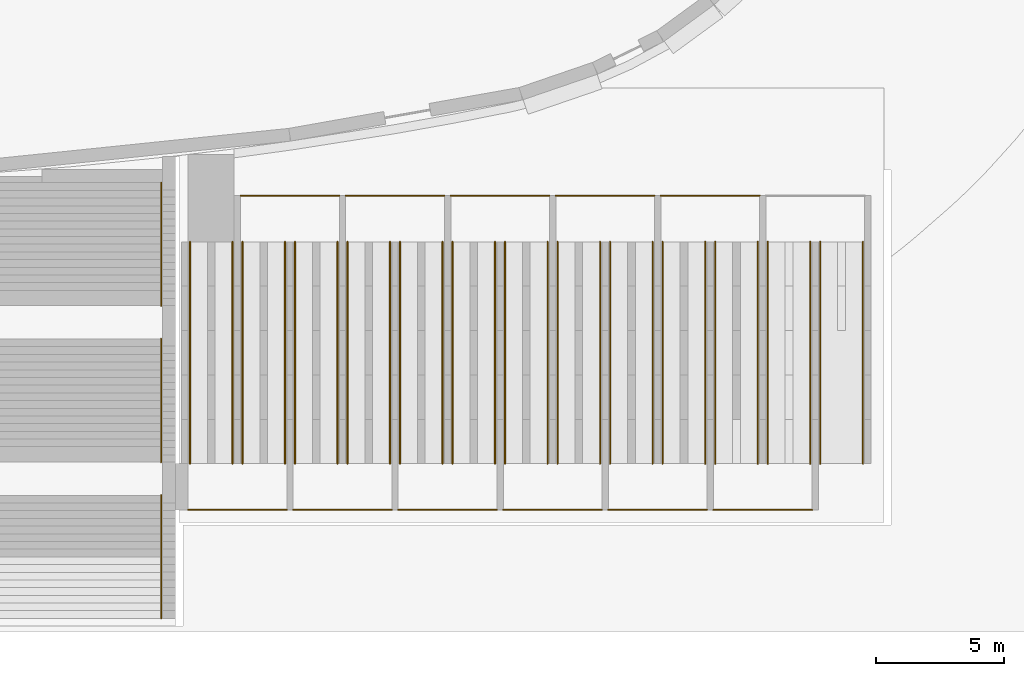
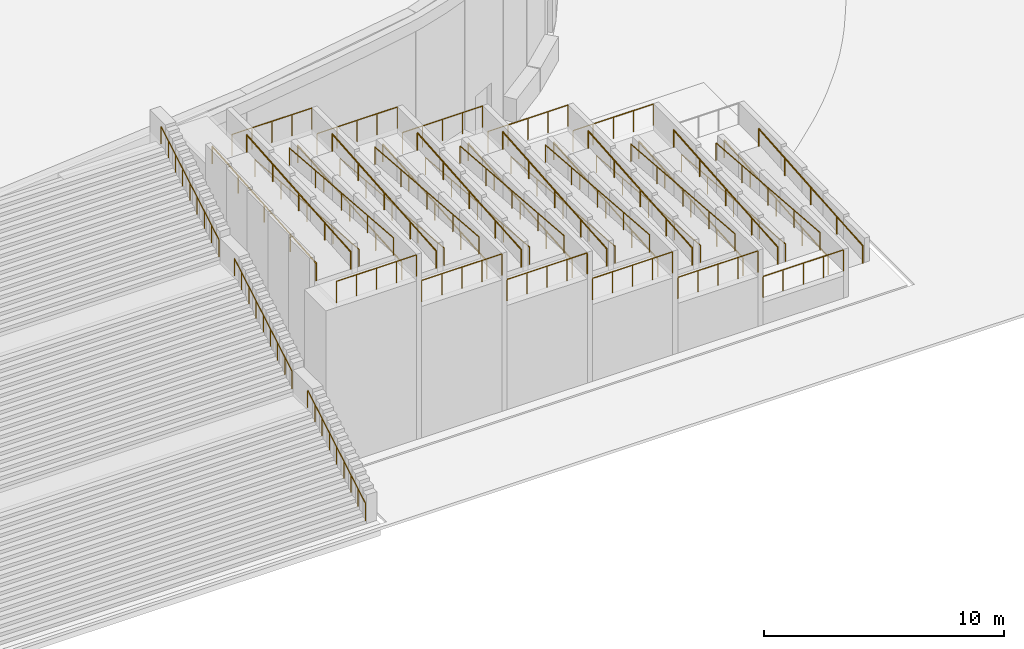
# One storey, part 19 of 29: 40 railings.
"""IFC4 building model written with IfcOpenShell, lengths in metres."""

from ifc_helpers import new_model, si_unit, direction, frame, origin, origin_2d, place, context, subcontext, project, spatial, circle, extrude, material, type_object, element, save


model = new_model("IFC4")

# Units and contexts
model_context = context("Model", 3, precision=1e-05, world=origin(), true_north=direction((0.0, 1.0)))
body_context = subcontext(model_context, "Body", "Model", "MODEL_VIEW")
ifc_project = project(units=[si_unit("LENGTHUNIT", "METRE"), si_unit("AREAUNIT", "SQUARE_METRE"), si_unit("VOLUMEUNIT", "CUBIC_METRE"), si_unit("PLANEANGLEUNIT", "RADIAN"), si_unit("MASSUNIT", "GRAM", prefix="KILO")], contexts=[model_context])

# Site, building, storey
site_placement = place(None, origin())
site = spatial("IfcSite", under=ifc_project, at=site_placement, CompositionType="ELEMENT")
building_placement = place(site_placement, origin())
building = spatial("IfcBuilding", under=site, at=building_placement, Name="Sierra Prisma Convention Tower", CompositionType="ELEMENT")
storey_placement = place(building_placement, origin())
storey = spatial("IfcBuildingStorey", under=building, at=storey_placement, Name="L00", CompositionType="ELEMENT", Elevation=0.0)

# Railings
ifc_material_1 = material(Name="Bronze anodised aluminium", Category="aluminium")
railing_type_1 = type_object("IfcRailingType", Name="Deck guard 1100", PredefinedType="GUARDRAIL", material=ifc_material_1)
railing_1_placement = place(storey_placement, frame((39.199951171875, -68.25390625, 1.384521484375)))
element("IfcRailing", 1, at=railing_1_placement, inside=storey, type_object=railing_type_1, Name="Accessible ramp landing guard", PredefinedType="GUARDRAIL", context=body_context, shape_type="SweptSolid", body=[
    extrude(circle(Radius=0.02392578125, at=origin_2d()), frame((0.0, 0.0, 1.076171875), z_axis=(1.0, 0.0, 0.0), x_axis=(0.0, 1.0, 0.0)), (0.0, 0.0, 1.0), 3.85009765625),
    extrude(circle(Radius=0.02099609375, at=origin_2d()), origin(), (0.0, 0.0, 1.0), 1.052001953125),
    extrude(circle(Radius=0.02099609375, at=origin_2d()), frame((0.96240234375, 0.0, 0.0)), (0.0, 0.0, 1.0), 1.052001953125),
    extrude(circle(Radius=0.02099609375, at=origin_2d()), frame((1.925048828125, 0.0, 0.0)), (0.0, 0.0, 1.0), 1.052001953125),
    extrude(circle(Radius=0.02099609375, at=origin_2d()), frame((2.8876953125, 0.0, 0.0)), (0.0, 0.0, 1.0), 1.052001953125),
    extrude(circle(Radius=0.02099609375, at=origin_2d()), frame((3.85009765625, 0.0, 0.0)), (0.0, 0.0, 1.0), 1.052001953125),
])
railing_2_placement = place(storey_placement, frame((35.10009765625, -68.25390625, 2.769287109375)))
element("IfcRailing", 2, at=railing_2_placement, inside=storey, type_object=railing_type_1, Name="Accessible ramp landing guard", PredefinedType="GUARDRAIL", context=body_context, shape_type="SweptSolid", body=[
    extrude(circle(Radius=0.02392578125, at=origin_2d()), frame((0.0, 0.0, 1.076171875), z_axis=(1.0, 0.0, 0.0), x_axis=(0.0, 1.0, 0.0)), (0.0, 0.0, 1.0), 3.849853515625),
    extrude(circle(Radius=0.02099609375, at=origin_2d()), origin(), (0.0, 0.0, 1.0), 1.052001953125),
    extrude(circle(Radius=0.02099609375, at=origin_2d()), frame((0.96240234375, 0.0, 0.0)), (0.0, 0.0, 1.0), 1.052001953125),
    extrude(circle(Radius=0.02099609375, at=origin_2d()), frame((1.9248046875, 0.0, 0.0)), (0.0, 0.0, 1.0), 1.052001953125),
    extrude(circle(Radius=0.02099609375, at=origin_2d()), frame((2.887451171875, 0.0, 0.0)), (0.0, 0.0, 1.0), 1.052001953125),
    extrude(circle(Radius=0.02099609375, at=origin_2d()), frame((3.849853515625, 0.0, 0.0)), (0.0, 0.0, 1.0), 1.052001953125),
])
for number, where, name in (
    (3, (31.0, -68.25390625, 4.15380859375), "Accessible ramp landing guard"),
    (4, (26.89990234375, -68.25390625, 5.53857421875), "Accessible ramp landing guard"),
):
    element("IfcRailing", number, at=place(storey_placement, frame(where)), inside=storey, type_object=railing_type_1, Name=name, PredefinedType="GUARDRAIL", context=body_context, shape_type="SweptSolid", body=[
        extrude(circle(Radius=0.02392578125, at=origin_2d()), frame((0.0, 0.0, 1.076171875), z_axis=(1.0, 0.0, 0.0), x_axis=(0.0, 1.0, 0.0)), (0.0, 0.0, 1.0), 3.85009765625),
        extrude(circle(Radius=0.02099609375, at=origin_2d()), origin(), (0.0, 0.0, 1.0), 1.052001953125),
        extrude(circle(Radius=0.02099609375, at=origin_2d()), frame((0.96240234375, 0.0, 0.0)), (0.0, 0.0, 1.0), 1.052001953125),
        extrude(circle(Radius=0.02099609375, at=origin_2d()), frame((1.925048828125, 0.0, 0.0)), (0.0, 0.0, 1.0), 1.052001953125),
        extrude(circle(Radius=0.02099609375, at=origin_2d()), frame((2.8876953125, 0.0, 0.0)), (0.0, 0.0, 1.0), 1.052001953125),
        extrude(circle(Radius=0.02099609375, at=origin_2d()), frame((3.85009765625, 0.0, 0.0)), (0.0, 0.0, 1.0), 1.052001953125),
    ])
railing_3_placement = place(storey_placement, frame((22.800048828125, -68.25390625, 6.923095703125)))
element("IfcRailing", 5, at=railing_3_placement, inside=storey, type_object=railing_type_1, Name="Accessible ramp landing guard", PredefinedType="GUARDRAIL", context=body_context, shape_type="SweptSolid", body=[
    extrude(circle(Radius=0.02392578125, at=origin_2d()), frame((0.0, 0.0, 1.076171875), z_axis=(1.0, 0.0, 0.0), x_axis=(0.0, 1.0, 0.0)), (0.0, 0.0, 1.0), 3.849853515625),
    extrude(circle(Radius=0.02099609375, at=origin_2d()), origin(), (0.0, 0.0, 1.0), 1.052001953125),
    extrude(circle(Radius=0.02099609375, at=origin_2d()), frame((0.96240234375, 0.0, 0.0)), (0.0, 0.0, 1.0), 1.052001953125),
    extrude(circle(Radius=0.02099609375, at=origin_2d()), frame((1.9248046875, 0.0, 0.0)), (0.0, 0.0, 1.0), 1.052001953125),
    extrude(circle(Radius=0.02099609375, at=origin_2d()), frame((2.887451171875, 0.0, 0.0)), (0.0, 0.0, 1.0), 1.052001953125),
    extrude(circle(Radius=0.02099609375, at=origin_2d()), frame((3.849853515625, 0.0, 0.0)), (0.0, 0.0, 1.0), 1.052001953125),
])
for number, where, name in (
    (6, (18.699951171875, -68.25390625, 8.3076171875), "Accessible ramp landing guard"),
    (7, (37.14990234375, -56.0, 2.076904296875), "Accessible ramp landing guard"),
):
    element("IfcRailing", number, at=place(storey_placement, frame(where)), inside=storey, type_object=railing_type_1, Name=name, PredefinedType="GUARDRAIL", context=body_context, shape_type="SweptSolid", body=[
        extrude(circle(Radius=0.02392578125, at=origin_2d()), frame((0.0, 0.0, 1.076171875), z_axis=(1.0, 0.0, 0.0), x_axis=(0.0, 1.0, 0.0)), (0.0, 0.0, 1.0), 3.85009765625),
        extrude(circle(Radius=0.02099609375, at=origin_2d()), origin(), (0.0, 0.0, 1.0), 1.052001953125),
        extrude(circle(Radius=0.02099609375, at=origin_2d()), frame((0.96240234375, 0.0, 0.0)), (0.0, 0.0, 1.0), 1.052001953125),
        extrude(circle(Radius=0.02099609375, at=origin_2d()), frame((1.925048828125, 0.0, 0.0)), (0.0, 0.0, 1.0), 1.052001953125),
        extrude(circle(Radius=0.02099609375, at=origin_2d()), frame((2.8876953125, 0.0, 0.0)), (0.0, 0.0, 1.0), 1.052001953125),
        extrude(circle(Radius=0.02099609375, at=origin_2d()), frame((3.85009765625, 0.0, 0.0)), (0.0, 0.0, 1.0), 1.052001953125),
    ])
railing_4_placement = place(storey_placement, frame((33.050048828125, -56.0, 3.46142578125)))
element("IfcRailing", 8, at=railing_4_placement, inside=storey, type_object=railing_type_1, Name="Accessible ramp landing guard", PredefinedType="GUARDRAIL", context=body_context, shape_type="SweptSolid", body=[
    extrude(circle(Radius=0.02392578125, at=origin_2d()), frame((0.0, 0.0, 1.076171875), z_axis=(1.0, 0.0, 0.0), x_axis=(0.0, 1.0, 0.0)), (0.0, 0.0, 1.0), 3.849853515625),
    extrude(circle(Radius=0.02099609375, at=origin_2d()), origin(), (0.0, 0.0, 1.0), 1.052001953125),
    extrude(circle(Radius=0.02099609375, at=origin_2d()), frame((0.96240234375, 0.0, 0.0)), (0.0, 0.0, 1.0), 1.052001953125),
    extrude(circle(Radius=0.02099609375, at=origin_2d()), frame((1.9248046875, 0.0, 0.0)), (0.0, 0.0, 1.0), 1.052001953125),
    extrude(circle(Radius=0.02099609375, at=origin_2d()), frame((2.887451171875, 0.0, 0.0)), (0.0, 0.0, 1.0), 1.052001953125),
    extrude(circle(Radius=0.02099609375, at=origin_2d()), frame((3.849853515625, 0.0, 0.0)), (0.0, 0.0, 1.0), 1.052001953125),
])
railing_5_placement = place(storey_placement, frame((28.949951171875, -56.0, 4.84619140625)))
element("IfcRailing", 9, at=railing_5_placement, inside=storey, type_object=railing_type_1, Name="Accessible ramp landing guard", PredefinedType="GUARDRAIL", context=body_context, shape_type="SweptSolid", body=[
    extrude(circle(Radius=0.02392578125, at=origin_2d()), frame((0.0, 0.0, 1.076171875), z_axis=(1.0, 0.0, 0.0), x_axis=(0.0, 1.0, 0.0)), (0.0, 0.0, 1.0), 3.85009765625),
    extrude(circle(Radius=0.02099609375, at=origin_2d()), origin(), (0.0, 0.0, 1.0), 1.052001953125),
    extrude(circle(Radius=0.02099609375, at=origin_2d()), frame((0.96240234375, 0.0, 0.0)), (0.0, 0.0, 1.0), 1.052001953125),
    extrude(circle(Radius=0.02099609375, at=origin_2d()), frame((1.925048828125, 0.0, 0.0)), (0.0, 0.0, 1.0), 1.052001953125),
    extrude(circle(Radius=0.02099609375, at=origin_2d()), frame((2.8876953125, 0.0, 0.0)), (0.0, 0.0, 1.0), 1.052001953125),
    extrude(circle(Radius=0.02099609375, at=origin_2d()), frame((3.85009765625, 0.0, 0.0)), (0.0, 0.0, 1.0), 1.052001953125),
])
railing_6_placement = place(storey_placement, frame((24.85009765625, -56.0, 6.230712890625)))
element("IfcRailing", 10, at=railing_6_placement, inside=storey, type_object=railing_type_1, Name="Accessible ramp landing guard", PredefinedType="GUARDRAIL", context=body_context, shape_type="SweptSolid", body=[
    extrude(circle(Radius=0.02392578125, at=origin_2d()), frame((0.0, 0.0, 1.076171875), z_axis=(1.0, 0.0, 0.0), x_axis=(0.0, 1.0, 0.0)), (0.0, 0.0, 1.0), 3.849853515625),
    extrude(circle(Radius=0.02099609375, at=origin_2d()), origin(), (0.0, 0.0, 1.0), 1.052001953125),
    extrude(circle(Radius=0.02099609375, at=origin_2d()), frame((0.96240234375, 0.0, 0.0)), (0.0, 0.0, 1.0), 1.052001953125),
    extrude(circle(Radius=0.02099609375, at=origin_2d()), frame((1.9248046875, 0.0, 0.0)), (0.0, 0.0, 1.0), 1.052001953125),
    extrude(circle(Radius=0.02099609375, at=origin_2d()), frame((2.887451171875, 0.0, 0.0)), (0.0, 0.0, 1.0), 1.052001953125),
    extrude(circle(Radius=0.02099609375, at=origin_2d()), frame((3.849853515625, 0.0, 0.0)), (0.0, 0.0, 1.0), 1.052001953125),
])
railing_7_placement = place(storey_placement, frame((20.75, -56.0, 7.615478515625)))
element("IfcRailing", 11, at=railing_7_placement, inside=storey, type_object=railing_type_1, Name="Accessible ramp landing guard", PredefinedType="GUARDRAIL", context=body_context, shape_type="SweptSolid", body=[
    extrude(circle(Radius=0.02392578125, at=origin_2d()), frame((0.0, 0.0, 1.076171875), z_axis=(1.0, 0.0, 0.0), x_axis=(0.0, 1.0, 0.0)), (0.0, 0.0, 1.0), 3.85009765625),
    extrude(circle(Radius=0.02099609375, at=origin_2d()), origin(), (0.0, 0.0, 1.0), 1.052001953125),
    extrude(circle(Radius=0.02099609375, at=origin_2d()), frame((0.96240234375, 0.0, 0.0)), (0.0, 0.0, 1.0), 1.052001953125),
    extrude(circle(Radius=0.02099609375, at=origin_2d()), frame((1.925048828125, 0.0, 0.0)), (0.0, 0.0, 1.0), 1.052001953125),
    extrude(circle(Radius=0.02099609375, at=origin_2d()), frame((2.8876953125, 0.0, 0.0)), (0.0, 0.0, 1.0), 1.052001953125),
    extrude(circle(Radius=0.02099609375, at=origin_2d()), frame((3.85009765625, 0.0, 0.0)), (0.0, 0.0, 1.0), 1.052001953125),
])
ifc_material_2 = material(Name="Bronze anodised aluminium", Category="aluminium")
railing_type_2 = type_object("IfcRailingType", Name="Stair handrail 900", PredefinedType="HANDRAIL", material=ifc_material_2)
railing_8_placement = place(storey_placement, frame((17.64990234375, -72.490234375, 0.176513671875)))
element("IfcRailing", 12, at=railing_8_placement, inside=storey, type_object=railing_type_2, Name="Garden stair handrail", PredefinedType="HANDRAIL", context=body_context, shape_type="SweptSolid", body=[
    extrude(circle(Radius=0.02392578125, at=origin_2d()), frame((0.0, 0.0, 0.8759765625), z_axis=(0.0, 0.861947739596, 0.506997134318), x_axis=(-1.0, 0.0, 0.0)), (0.0, 0.0, 1.0), 1.39208984375),
    extrude(circle(Radius=0.02392578125, at=origin_2d()), frame((0.0, 1.199951171875, 1.58154296875), z_axis=(0.0, 0.861992807769, 0.506920505952), x_axis=(-1.0, 0.0, 0.0)), (0.0, 0.0, 1.0), 1.392333984375),
    extrude(circle(Radius=0.02392578125, at=origin_2d()), frame((0.0, 2.400146484375, 2.28759765625), z_axis=(0.0, 0.861871098619, 0.507127409401), x_axis=(-1.0, 0.0, 0.0)), (0.0, 0.0, 1.0), 1.392333984375),
    extrude(circle(Radius=0.02392578125, at=origin_2d()), frame((0.0, 3.60009765625, 2.99365234375), z_axis=(0.0, 0.861947739596, 0.506997134318), x_axis=(-1.0, 0.0, 0.0)), (0.0, 0.0, 1.0), 1.39208984375),
    extrude(circle(Radius=0.02099609375, at=origin_2d()), origin(), (0.0, 0.0, 1.0), 0.851806640625),
    extrude(circle(Radius=0.02099609375, at=origin_2d()), frame((0.0, 0.60009765625, 0.35302734375)), (0.0, 0.0, 1.0), 0.851806640625),
    extrude(circle(Radius=0.02099609375, at=origin_2d()), frame((0.0, 1.199951171875, 0.705810546875)), (0.0, 0.0, 1.0), 0.851806640625),
    extrude(circle(Radius=0.02099609375, at=origin_2d()), frame((0.0, 1.800048828125, 1.05859375)), (0.0, 0.0, 1.0), 0.851806640625),
    extrude(circle(Radius=0.02099609375, at=origin_2d()), frame((0.0, 2.400146484375, 1.41162109375)), (0.0, 0.0, 1.0), 0.851806640625),
    extrude(circle(Radius=0.02099609375, at=origin_2d()), frame((0.0, 3.0, 1.7646484375)), (0.0, 0.0, 1.0), 0.851806640625),
    extrude(circle(Radius=0.02099609375, at=origin_2d()), frame((0.0, 3.60009765625, 2.11767578125)), (0.0, 0.0, 1.0), 0.851806640625),
    extrude(circle(Radius=0.02099609375, at=origin_2d()), frame((0.0, 4.2001953125, 2.470703125)), (0.0, 0.0, 1.0), 0.851806640625),
    extrude(circle(Radius=0.02099609375, at=origin_2d()), frame((0.0, 4.800048828125, 2.823486328125)), (0.0, 0.0, 1.0), 0.851806640625),
])
railing_9_placement = place(storey_placement, frame((17.64990234375, -66.39013671875, 3.176513671875)))
element("IfcRailing", 13, at=railing_9_placement, inside=storey, type_object=railing_type_2, Name="Garden stair handrail", PredefinedType="HANDRAIL", context=body_context, shape_type="SweptSolid", body=[
    extrude(circle(Radius=0.02392578125, at=origin_2d()), frame((0.0, 0.0, 0.8759765625), z_axis=(0.0, 0.861947739596, 0.506997134318), x_axis=(-1.0, 0.0, 0.0)), (0.0, 0.0, 1.0), 2.7841796875),
    extrude(circle(Radius=0.02392578125, at=origin_2d()), frame((0.0, 2.39990234375, 2.28759765625), z_axis=(0.0, 0.861871098619, 0.507127409401), x_axis=(-1.0, 0.0, 0.0)), (0.0, 0.0, 1.0), 1.392333984375),
    extrude(circle(Radius=0.02392578125, at=origin_2d()), frame((0.0, 3.599853515625, 2.99365234375), z_axis=(0.0, 0.861992807769, 0.506920505952), x_axis=(-1.0, 0.0, 0.0)), (0.0, 0.0, 1.0), 1.392333984375),
    extrude(circle(Radius=0.02099609375, at=origin_2d()), origin(), (0.0, 0.0, 1.0), 0.851806640625),
    extrude(circle(Radius=0.02099609375, at=origin_2d()), frame((0.0, 0.60009765625, 0.35302734375)), (0.0, 0.0, 1.0), 0.851806640625),
    extrude(circle(Radius=0.02099609375, at=origin_2d()), frame((0.0, 1.199951171875, 0.705810546875)), (0.0, 0.0, 1.0), 0.851806640625),
    extrude(circle(Radius=0.02099609375, at=origin_2d()), frame((0.0, 1.7998046875, 1.05859375)), (0.0, 0.0, 1.0), 0.851806640625),
    extrude(circle(Radius=0.02099609375, at=origin_2d()), frame((0.0, 2.39990234375, 1.41162109375)), (0.0, 0.0, 1.0), 0.851806640625),
    extrude(circle(Radius=0.02099609375, at=origin_2d()), frame((0.0, 3.0, 1.7646484375)), (0.0, 0.0, 1.0), 0.851806640625),
    extrude(circle(Radius=0.02099609375, at=origin_2d()), frame((0.0, 3.599853515625, 2.11767578125)), (0.0, 0.0, 1.0), 0.851806640625),
    extrude(circle(Radius=0.02099609375, at=origin_2d()), frame((0.0, 4.199951171875, 2.470703125)), (0.0, 0.0, 1.0), 0.851806640625),
    extrude(circle(Radius=0.02099609375, at=origin_2d()), frame((0.0, 4.800048828125, 2.823486328125)), (0.0, 0.0, 1.0), 0.851806640625),
])
railing_10_placement = place(storey_placement, frame((17.64990234375, -60.290283203125, 6.176513671875)))
element("IfcRailing", 14, at=railing_10_placement, inside=storey, type_object=railing_type_2, Name="Garden stair handrail", PredefinedType="HANDRAIL", context=body_context, shape_type="SweptSolid", body=[
    extrude(circle(Radius=0.02392578125, at=origin_2d()), frame((0.0, 0.0, 0.8759765625), z_axis=(0.0, 0.861992807769, 0.506920505952), x_axis=(-1.0, 0.0, 0.0)), (0.0, 0.0, 1.0), 1.392333984375),
    extrude(circle(Radius=0.02392578125, at=origin_2d()), frame((0.0, 1.2001953125, 1.58154296875), z_axis=(0.0, 0.861947739596, 0.506997134318), x_axis=(-1.0, 0.0, 0.0)), (0.0, 0.0, 1.0), 1.39208984375),
    extrude(circle(Radius=0.02392578125, at=origin_2d()), frame((0.0, 2.400146484375, 2.28759765625), z_axis=(0.0, 0.861871098619, 0.507127409401), x_axis=(-1.0, 0.0, 0.0)), (0.0, 0.0, 1.0), 1.392333984375),
    extrude(circle(Radius=0.02392578125, at=origin_2d()), frame((0.0, 3.60009765625, 2.99365234375), z_axis=(0.0, 0.861947739596, 0.506997134318), x_axis=(-1.0, 0.0, 0.0)), (0.0, 0.0, 1.0), 1.39208984375),
    extrude(circle(Radius=0.02099609375, at=origin_2d()), origin(), (0.0, 0.0, 1.0), 0.851806640625),
    extrude(circle(Radius=0.02099609375, at=origin_2d()), frame((0.0, 0.60009765625, 0.35302734375)), (0.0, 0.0, 1.0), 0.851806640625),
    extrude(circle(Radius=0.02099609375, at=origin_2d()), frame((0.0, 1.2001953125, 0.705810546875)), (0.0, 0.0, 1.0), 0.851806640625),
    extrude(circle(Radius=0.02099609375, at=origin_2d()), frame((0.0, 1.80029296875, 1.05859375)), (0.0, 0.0, 1.0), 0.851806640625),
    extrude(circle(Radius=0.02099609375, at=origin_2d()), frame((0.0, 2.400146484375, 1.41162109375)), (0.0, 0.0, 1.0), 0.851806640625),
    extrude(circle(Radius=0.02099609375, at=origin_2d()), frame((0.0, 3.0, 1.7646484375)), (0.0, 0.0, 1.0), 0.851806640625),
    extrude(circle(Radius=0.02099609375, at=origin_2d()), frame((0.0, 3.60009765625, 2.11767578125)), (0.0, 0.0, 1.0), 0.851806640625),
    extrude(circle(Radius=0.02099609375, at=origin_2d()), frame((0.0, 4.2001953125, 2.470703125)), (0.0, 0.0, 1.0), 0.851806640625),
    extrude(circle(Radius=0.02099609375, at=origin_2d()), frame((0.0, 4.800048828125, 2.823486328125)), (0.0, 0.0, 1.0), 0.851806640625),
])
for number, where, name in (
    (15, (43.3701171875, -66.453857421875, 0.0), "Accessible ramp handrail"),
    (16, (45.030029296875, -66.453857421875, 0.0), "Accessible ramp handrail"),
):
    element("IfcRailing", number, at=place(storey_placement, frame(where)), inside=storey, type_object=railing_type_2, Name=name, PredefinedType="HANDRAIL", context=body_context, shape_type="SweptSolid", body=[
        extrude(circle(Radius=0.02392578125, at=origin_2d()), frame((0.0, 0.0, 0.8759765625), z_axis=(0.0, 0.996814563149, 0.079754164111), x_axis=(-1.0, 0.0, 0.0)), (0.0, 0.0, 1.0), 8.681396484375),
        extrude(circle(Radius=0.02099609375, at=origin_2d()), origin(), (0.0, 0.0, 1.0), 0.851806640625),
        extrude(circle(Radius=0.02099609375, at=origin_2d()), frame((0.0, 2.16357421875, 0.173095703125)), (0.0, 0.0, 1.0), 0.851806640625),
        extrude(circle(Radius=0.02099609375, at=origin_2d()), frame((0.0, 4.326904296875, 0.34619140625)), (0.0, 0.0, 1.0), 0.851806640625),
        extrude(circle(Radius=0.02099609375, at=origin_2d()), frame((0.0, 6.490234375, 0.519287109375)), (0.0, 0.0, 1.0), 0.851806640625),
        extrude(circle(Radius=0.02099609375, at=origin_2d()), frame((0.0, 8.65380859375, 0.6923828125)), (0.0, 0.0, 1.0), 0.851806640625),
    ])
for number, where, name in (
    (17, (41.320068359375, -66.453857421875, 1.384521484375), "Accessible ramp handrail"),
    (18, (42.97998046875, -66.453857421875, 1.384521484375), "Accessible ramp handrail"),
):
    element("IfcRailing", number, at=place(storey_placement, frame(where)), inside=storey, type_object=railing_type_2, Name=name, PredefinedType="HANDRAIL", context=body_context, shape_type="SweptSolid", body=[
        extrude(circle(Radius=0.02392578125, at=origin_2d()), frame((0.0, 0.0, 0.8759765625), z_axis=(0.0, 0.99681679847, -0.079726220833), x_axis=(-1.0, 0.0, 0.0)), (0.0, 0.0, 1.0), 8.681396484375),
        extrude(circle(Radius=0.02099609375, at=origin_2d()), origin(), (0.0, 0.0, 1.0), 0.851806640625),
        extrude(circle(Radius=0.02099609375, at=origin_2d()), frame((0.0, 2.16357421875, -0.173095703125)), (0.0, 0.0, 1.0), 0.851806640625),
        extrude(circle(Radius=0.02099609375, at=origin_2d()), frame((0.0, 4.326904296875, -0.34619140625)), (0.0, 0.0, 1.0), 0.851806640625),
        extrude(circle(Radius=0.02099609375, at=origin_2d()), frame((0.0, 6.490234375, -0.51904296875)), (0.0, 0.0, 1.0), 0.851806640625),
        extrude(circle(Radius=0.02099609375, at=origin_2d()), frame((0.0, 8.65380859375, -0.692138671875)), (0.0, 0.0, 1.0), 0.851806640625),
    ])
for number, where, name in (
    (19, (39.27001953125, -66.453857421875, 1.384521484375), "Accessible ramp handrail"),
    (20, (40.929931640625, -66.453857421875, 1.384521484375), "Accessible ramp handrail"),
):
    element("IfcRailing", number, at=place(storey_placement, frame(where)), inside=storey, type_object=railing_type_2, Name=name, PredefinedType="HANDRAIL", context=body_context, shape_type="SweptSolid", body=[
        extrude(circle(Radius=0.02392578125, at=origin_2d()), frame((0.0, 0.0, 0.8759765625), z_axis=(0.0, 0.996814563149, 0.079754164111), x_axis=(-1.0, 0.0, 0.0)), (0.0, 0.0, 1.0), 8.681396484375),
        extrude(circle(Radius=0.02099609375, at=origin_2d()), origin(), (0.0, 0.0, 1.0), 0.851806640625),
        extrude(circle(Radius=0.02099609375, at=origin_2d()), frame((0.0, 2.16357421875, 0.173095703125)), (0.0, 0.0, 1.0), 0.851806640625),
        extrude(circle(Radius=0.02099609375, at=origin_2d()), frame((0.0, 4.326904296875, 0.34619140625)), (0.0, 0.0, 1.0), 0.851806640625),
        extrude(circle(Radius=0.02099609375, at=origin_2d()), frame((0.0, 6.490234375, 0.519287109375)), (0.0, 0.0, 1.0), 0.851806640625),
        extrude(circle(Radius=0.02099609375, at=origin_2d()), frame((0.0, 8.65380859375, 0.6923828125)), (0.0, 0.0, 1.0), 0.851806640625),
    ])
for number, where, name in (
    (21, (37.219970703125, -66.453857421875, 2.769287109375), "Accessible ramp handrail"),
    (22, (38.8798828125, -66.453857421875, 2.769287109375), "Accessible ramp handrail"),
):
    element("IfcRailing", number, at=place(storey_placement, frame(where)), inside=storey, type_object=railing_type_2, Name=name, PredefinedType="HANDRAIL", context=body_context, shape_type="SweptSolid", body=[
        extrude(circle(Radius=0.02392578125, at=origin_2d()), frame((0.0, 0.0, 0.8759765625), z_axis=(0.0, 0.996814563149, -0.079754164111), x_axis=(-1.0, 0.0, 0.0)), (0.0, 0.0, 1.0), 8.681396484375),
        extrude(circle(Radius=0.02099609375, at=origin_2d()), origin(), (0.0, 0.0, 1.0), 0.851806640625),
        extrude(circle(Radius=0.02099609375, at=origin_2d()), frame((0.0, 2.16357421875, -0.173095703125)), (0.0, 0.0, 1.0), 0.851806640625),
        extrude(circle(Radius=0.02099609375, at=origin_2d()), frame((0.0, 4.326904296875, -0.34619140625)), (0.0, 0.0, 1.0), 0.851806640625),
        extrude(circle(Radius=0.02099609375, at=origin_2d()), frame((0.0, 6.490234375, -0.519287109375)), (0.0, 0.0, 1.0), 0.851806640625),
        extrude(circle(Radius=0.02099609375, at=origin_2d()), frame((0.0, 8.65380859375, -0.6923828125)), (0.0, 0.0, 1.0), 0.851806640625),
    ])
for number, where, name in (
    (23, (35.169921875, -66.453857421875, 2.769287109375), "Accessible ramp handrail"),
    (24, (36.830078125, -66.453857421875, 2.769287109375), "Accessible ramp handrail"),
):
    element("IfcRailing", number, at=place(storey_placement, frame(where)), inside=storey, type_object=railing_type_2, Name=name, PredefinedType="HANDRAIL", context=body_context, shape_type="SweptSolid", body=[
        extrude(circle(Radius=0.02392578125, at=origin_2d()), frame((0.0, 0.0, 0.8759765625), z_axis=(0.0, 0.99681679847, 0.079726220833), x_axis=(-1.0, 0.0, 0.0)), (0.0, 0.0, 1.0), 8.681396484375),
        extrude(circle(Radius=0.02099609375, at=origin_2d()), origin(), (0.0, 0.0, 1.0), 0.851806640625),
        extrude(circle(Radius=0.02099609375, at=origin_2d()), frame((0.0, 2.16357421875, 0.173095703125)), (0.0, 0.0, 1.0), 0.851806640625),
        extrude(circle(Radius=0.02099609375, at=origin_2d()), frame((0.0, 4.326904296875, 0.34619140625)), (0.0, 0.0, 1.0), 0.851806640625),
        extrude(circle(Radius=0.02099609375, at=origin_2d()), frame((0.0, 6.490234375, 0.51904296875)), (0.0, 0.0, 1.0), 0.851806640625),
        extrude(circle(Radius=0.02099609375, at=origin_2d()), frame((0.0, 8.65380859375, 0.692138671875)), (0.0, 0.0, 1.0), 0.851806640625),
    ])
for number, where, name in (
    (25, (33.1201171875, -66.453857421875, 4.15380859375), "Accessible ramp handrail"),
    (26, (34.780029296875, -66.453857421875, 4.15380859375), "Accessible ramp handrail"),
):
    element("IfcRailing", number, at=place(storey_placement, frame(where)), inside=storey, type_object=railing_type_2, Name=name, PredefinedType="HANDRAIL", context=body_context, shape_type="SweptSolid", body=[
        extrude(circle(Radius=0.02392578125, at=origin_2d()), frame((0.0, 0.0, 0.8759765625), z_axis=(0.0, 0.996814563149, -0.079754164111), x_axis=(-1.0, 0.0, 0.0)), (0.0, 0.0, 1.0), 8.681396484375),
        extrude(circle(Radius=0.02099609375, at=origin_2d()), origin(), (0.0, 0.0, 1.0), 0.851806640625),
        extrude(circle(Radius=0.02099609375, at=origin_2d()), frame((0.0, 2.16357421875, -0.173095703125)), (0.0, 0.0, 1.0), 0.851806640625),
        extrude(circle(Radius=0.02099609375, at=origin_2d()), frame((0.0, 4.326904296875, -0.34619140625)), (0.0, 0.0, 1.0), 0.851806640625),
        extrude(circle(Radius=0.02099609375, at=origin_2d()), frame((0.0, 6.490234375, -0.519287109375)), (0.0, 0.0, 1.0), 0.851806640625),
        extrude(circle(Radius=0.02099609375, at=origin_2d()), frame((0.0, 8.65380859375, -0.6923828125)), (0.0, 0.0, 1.0), 0.851806640625),
    ])
for number, where, name in (
    (27, (31.070068359375, -66.453857421875, 4.15380859375), "Accessible ramp handrail"),
    (28, (32.72998046875, -66.453857421875, 4.15380859375), "Accessible ramp handrail"),
):
    element("IfcRailing", number, at=place(storey_placement, frame(where)), inside=storey, type_object=railing_type_2, Name=name, PredefinedType="HANDRAIL", context=body_context, shape_type="SweptSolid", body=[
        extrude(circle(Radius=0.02392578125, at=origin_2d()), frame((0.0, 0.0, 0.8759765625), z_axis=(0.0, 0.996814563149, 0.079754164111), x_axis=(-1.0, 0.0, 0.0)), (0.0, 0.0, 1.0), 8.681396484375),
        extrude(circle(Radius=0.02099609375, at=origin_2d()), origin(), (0.0, 0.0, 1.0), 0.851806640625),
        extrude(circle(Radius=0.02099609375, at=origin_2d()), frame((0.0, 2.16357421875, 0.173095703125)), (0.0, 0.0, 1.0), 0.851806640625),
        extrude(circle(Radius=0.02099609375, at=origin_2d()), frame((0.0, 4.326904296875, 0.34619140625)), (0.0, 0.0, 1.0), 0.851806640625),
        extrude(circle(Radius=0.02099609375, at=origin_2d()), frame((0.0, 6.490234375, 0.519287109375)), (0.0, 0.0, 1.0), 0.851806640625),
        extrude(circle(Radius=0.02099609375, at=origin_2d()), frame((0.0, 8.65380859375, 0.6923828125)), (0.0, 0.0, 1.0), 0.851806640625),
    ])
for number, where, name in (
    (29, (29.02001953125, -66.453857421875, 5.53857421875), "Accessible ramp handrail"),
    (30, (30.679931640625, -66.453857421875, 5.53857421875), "Accessible ramp handrail"),
):
    element("IfcRailing", number, at=place(storey_placement, frame(where)), inside=storey, type_object=railing_type_2, Name=name, PredefinedType="HANDRAIL", context=body_context, shape_type="SweptSolid", body=[
        extrude(circle(Radius=0.02392578125, at=origin_2d()), frame((0.0, 0.0, 0.8759765625), z_axis=(0.0, 0.996814563149, -0.079754164111), x_axis=(-1.0, 0.0, 0.0)), (0.0, 0.0, 1.0), 8.681396484375),
        extrude(circle(Radius=0.02099609375, at=origin_2d()), origin(), (0.0, 0.0, 1.0), 0.851806640625),
        extrude(circle(Radius=0.02099609375, at=origin_2d()), frame((0.0, 2.16357421875, -0.173095703125)), (0.0, 0.0, 1.0), 0.851806640625),
        extrude(circle(Radius=0.02099609375, at=origin_2d()), frame((0.0, 4.326904296875, -0.34619140625)), (0.0, 0.0, 1.0), 0.851806640625),
        extrude(circle(Radius=0.02099609375, at=origin_2d()), frame((0.0, 6.490234375, -0.519287109375)), (0.0, 0.0, 1.0), 0.851806640625),
        extrude(circle(Radius=0.02099609375, at=origin_2d()), frame((0.0, 8.65380859375, -0.6923828125)), (0.0, 0.0, 1.0), 0.851806640625),
    ])
for number, where, name in (
    (31, (26.969970703125, -66.453857421875, 5.53857421875), "Accessible ramp handrail"),
    (32, (28.6298828125, -66.453857421875, 5.53857421875), "Accessible ramp handrail"),
):
    element("IfcRailing", number, at=place(storey_placement, frame(where)), inside=storey, type_object=railing_type_2, Name=name, PredefinedType="HANDRAIL", context=body_context, shape_type="SweptSolid", body=[
        extrude(circle(Radius=0.02392578125, at=origin_2d()), frame((0.0, 0.0, 0.8759765625), z_axis=(0.0, 0.99681679847, 0.079726220833), x_axis=(-1.0, 0.0, 0.0)), (0.0, 0.0, 1.0), 8.681396484375),
        extrude(circle(Radius=0.02099609375, at=origin_2d()), origin(), (0.0, 0.0, 1.0), 0.851806640625),
        extrude(circle(Radius=0.02099609375, at=origin_2d()), frame((0.0, 2.16357421875, 0.173095703125)), (0.0, 0.0, 1.0), 0.851806640625),
        extrude(circle(Radius=0.02099609375, at=origin_2d()), frame((0.0, 4.326904296875, 0.34619140625)), (0.0, 0.0, 1.0), 0.851806640625),
        extrude(circle(Radius=0.02099609375, at=origin_2d()), frame((0.0, 6.490234375, 0.51904296875)), (0.0, 0.0, 1.0), 0.851806640625),
        extrude(circle(Radius=0.02099609375, at=origin_2d()), frame((0.0, 8.65380859375, 0.692138671875)), (0.0, 0.0, 1.0), 0.851806640625),
    ])
for number, where, name in (
    (33, (24.919921875, -66.453857421875, 6.923095703125), "Accessible ramp handrail"),
    (34, (26.580078125, -66.453857421875, 6.923095703125), "Accessible ramp handrail"),
):
    element("IfcRailing", number, at=place(storey_placement, frame(where)), inside=storey, type_object=railing_type_2, Name=name, PredefinedType="HANDRAIL", context=body_context, shape_type="SweptSolid", body=[
        extrude(circle(Radius=0.02392578125, at=origin_2d()), frame((0.0, 0.0, 0.8759765625), z_axis=(0.0, 0.996814563149, -0.079754164111), x_axis=(-1.0, 0.0, 0.0)), (0.0, 0.0, 1.0), 8.681396484375),
        extrude(circle(Radius=0.02099609375, at=origin_2d()), origin(), (0.0, 0.0, 1.0), 0.851806640625),
        extrude(circle(Radius=0.02099609375, at=origin_2d()), frame((0.0, 2.16357421875, -0.173095703125)), (0.0, 0.0, 1.0), 0.851806640625),
        extrude(circle(Radius=0.02099609375, at=origin_2d()), frame((0.0, 4.326904296875, -0.34619140625)), (0.0, 0.0, 1.0), 0.851806640625),
        extrude(circle(Radius=0.02099609375, at=origin_2d()), frame((0.0, 6.490234375, -0.519287109375)), (0.0, 0.0, 1.0), 0.851806640625),
        extrude(circle(Radius=0.02099609375, at=origin_2d()), frame((0.0, 8.65380859375, -0.6923828125)), (0.0, 0.0, 1.0), 0.851806640625),
    ])
for number, where, name in (
    (35, (22.8701171875, -66.453857421875, 6.923095703125), "Accessible ramp handrail"),
    (36, (24.530029296875, -66.453857421875, 6.923095703125), "Accessible ramp handrail"),
):
    element("IfcRailing", number, at=place(storey_placement, frame(where)), inside=storey, type_object=railing_type_2, Name=name, PredefinedType="HANDRAIL", context=body_context, shape_type="SweptSolid", body=[
        extrude(circle(Radius=0.02392578125, at=origin_2d()), frame((0.0, 0.0, 0.8759765625), z_axis=(0.0, 0.996814563149, 0.079754164111), x_axis=(-1.0, 0.0, 0.0)), (0.0, 0.0, 1.0), 8.681396484375),
        extrude(circle(Radius=0.02099609375, at=origin_2d()), origin(), (0.0, 0.0, 1.0), 0.851806640625),
        extrude(circle(Radius=0.02099609375, at=origin_2d()), frame((0.0, 2.16357421875, 0.173095703125)), (0.0, 0.0, 1.0), 0.851806640625),
        extrude(circle(Radius=0.02099609375, at=origin_2d()), frame((0.0, 4.326904296875, 0.34619140625)), (0.0, 0.0, 1.0), 0.851806640625),
        extrude(circle(Radius=0.02099609375, at=origin_2d()), frame((0.0, 6.490234375, 0.519287109375)), (0.0, 0.0, 1.0), 0.851806640625),
        extrude(circle(Radius=0.02099609375, at=origin_2d()), frame((0.0, 8.65380859375, 0.6923828125)), (0.0, 0.0, 1.0), 0.851806640625),
    ])
for number, where, name in (
    (37, (20.820068359375, -66.453857421875, 8.3076171875), "Accessible ramp handrail"),
    (38, (22.47998046875, -66.453857421875, 8.3076171875), "Accessible ramp handrail"),
):
    element("IfcRailing", number, at=place(storey_placement, frame(where)), inside=storey, type_object=railing_type_2, Name=name, PredefinedType="HANDRAIL", context=body_context, shape_type="SweptSolid", body=[
        extrude(circle(Radius=0.02392578125, at=origin_2d()), frame((0.0, 0.0, 0.8759765625), z_axis=(0.0, 0.99681679847, -0.079726220833), x_axis=(-1.0, 0.0, 0.0)), (0.0, 0.0, 1.0), 8.681396484375),
        extrude(circle(Radius=0.02099609375, at=origin_2d()), origin(), (0.0, 0.0, 1.0), 0.851806640625),
        extrude(circle(Radius=0.02099609375, at=origin_2d()), frame((0.0, 2.16357421875, -0.173095703125)), (0.0, 0.0, 1.0), 0.851806640625),
        extrude(circle(Radius=0.02099609375, at=origin_2d()), frame((0.0, 4.326904296875, -0.34619140625)), (0.0, 0.0, 1.0), 0.851806640625),
        extrude(circle(Radius=0.02099609375, at=origin_2d()), frame((0.0, 6.490234375, -0.51904296875)), (0.0, 0.0, 1.0), 0.851806640625),
        extrude(circle(Radius=0.02099609375, at=origin_2d()), frame((0.0, 8.65380859375, -0.692138671875)), (0.0, 0.0, 1.0), 0.851806640625),
    ])
for number, where, name in (
    (39, (18.77001953125, -66.453857421875, 8.3076171875), "Accessible ramp handrail"),
    (40, (20.429931640625, -66.453857421875, 8.3076171875), "Accessible ramp handrail"),
):
    element("IfcRailing", number, at=place(storey_placement, frame(where)), inside=storey, type_object=railing_type_2, Name=name, PredefinedType="HANDRAIL", context=body_context, shape_type="SweptSolid", body=[
        extrude(circle(Radius=0.02392578125, at=origin_2d()), frame((0.0, 0.0, 0.8759765625), z_axis=(0.0, 0.996814563149, 0.079754164111), x_axis=(-1.0, 0.0, 0.0)), (0.0, 0.0, 1.0), 8.681396484375),
        extrude(circle(Radius=0.02099609375, at=origin_2d()), origin(), (0.0, 0.0, 1.0), 0.851806640625),
        extrude(circle(Radius=0.02099609375, at=origin_2d()), frame((0.0, 2.16357421875, 0.173095703125)), (0.0, 0.0, 1.0), 0.851806640625),
        extrude(circle(Radius=0.02099609375, at=origin_2d()), frame((0.0, 4.326904296875, 0.34619140625)), (0.0, 0.0, 1.0), 0.851806640625),
        extrude(circle(Radius=0.02099609375, at=origin_2d()), frame((0.0, 6.490234375, 0.519287109375)), (0.0, 0.0, 1.0), 0.851806640625),
        extrude(circle(Radius=0.02099609375, at=origin_2d()), frame((0.0, 8.65380859375, 0.6923828125)), (0.0, 0.0, 1.0), 0.851806640625),
    ])

save(model, "model.ifc")
